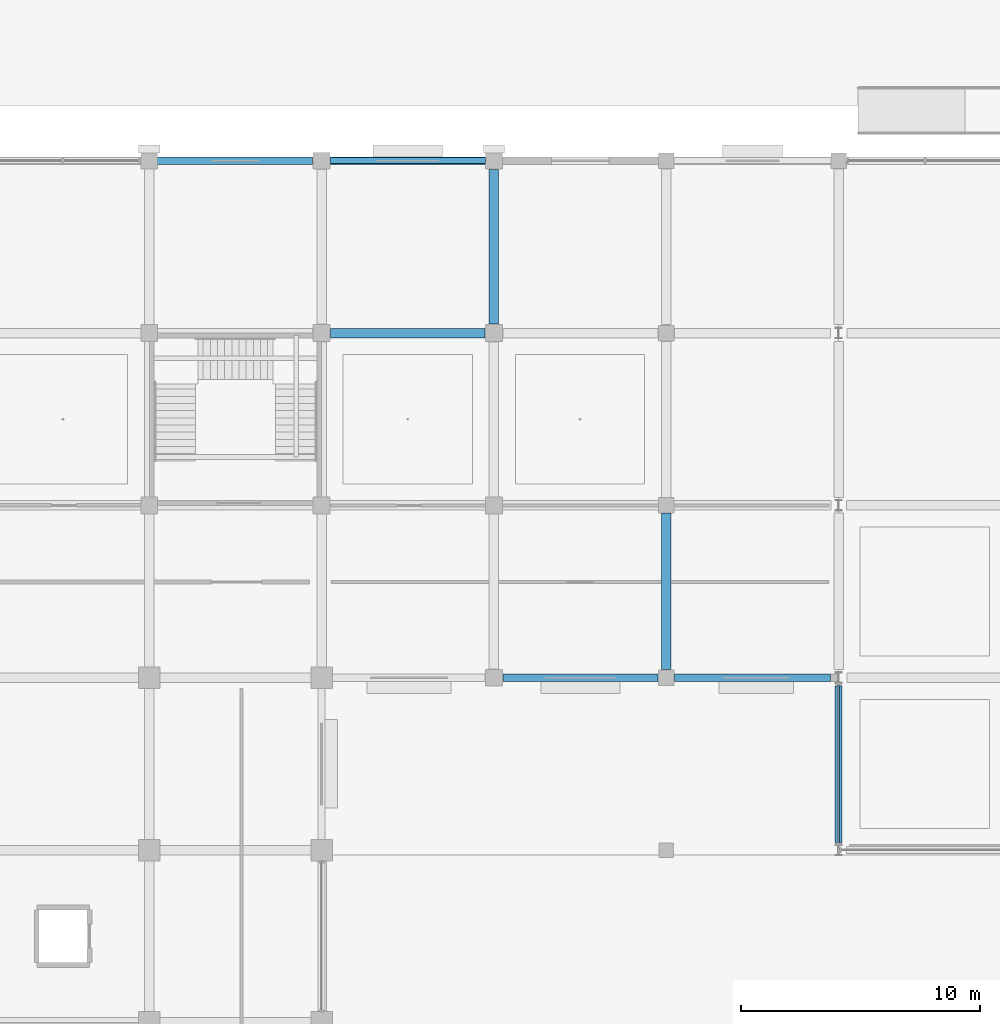
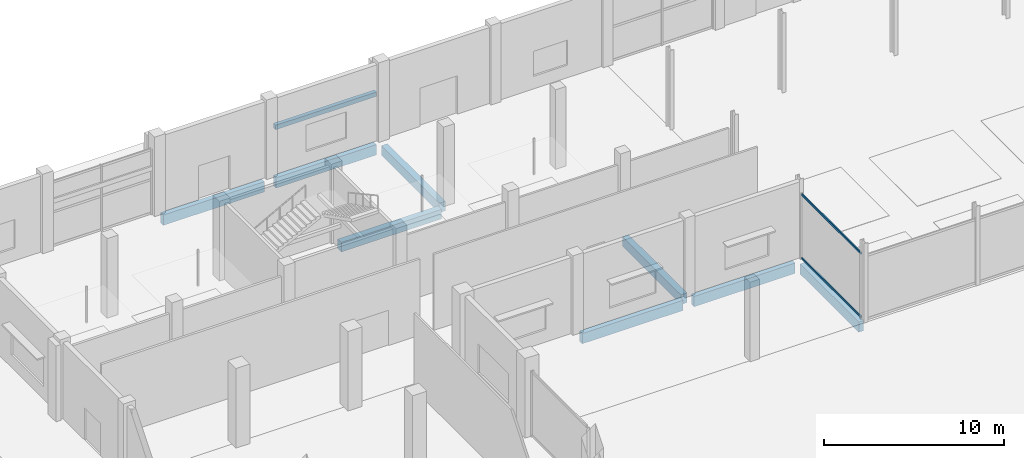
# One storey, part 17 of 90: 9 beams, 2 members, 1 element without a shape of its own.
"""IFC4 building model written with IfcOpenShell, lengths in metres."""

from ifc_helpers import new_model, si_unit, direction, frame, origin, origin_2d, place, context, subcontext, project, spatial, rectangle, hollow_rectangle, extrude, material, layer, layer_set, material_profile, profile_set, type_object, element, aggregate, save


model = new_model("IFC4")

# Units and contexts
model_context = context("Model", 3, precision=1e-05, world=origin(), true_north=direction((0.0, 1.0)))
body_context = subcontext(model_context, "Body", "Model", "MODEL_VIEW")
ifc_project = project(units=[si_unit("LENGTHUNIT", "METRE"), si_unit("AREAUNIT", "SQUARE_METRE"), si_unit("VOLUMEUNIT", "CUBIC_METRE"), si_unit("PLANEANGLEUNIT", "RADIAN"), si_unit("MASSUNIT", "GRAM", prefix="KILO")], contexts=[model_context])

# Site, building, storey
site_placement = place(None, origin())
site = spatial("IfcSite", under=ifc_project, at=site_placement, CompositionType="ELEMENT")
building_placement = place(site_placement, origin())
building = spatial("IfcBuilding", under=site, at=building_placement, Name="Kangsadwip Square Police Headquarters", CompositionType="ELEMENT")
storey_placement = place(building_placement, origin())
storey = spatial("IfcBuildingStorey", under=building, at=storey_placement, Name="L00", CompositionType="ELEMENT", Elevation=0.0)

# Curtain wall, members
ifc_material_1 = material(Name="Thermally broken anodised aluminium AW-6063-T6", Category="aluminium")
ifc_layer = layer(ifc_material_1, 0.159912109375)
ifc_layer_set = layer_set([ifc_layer], Name="Thermally broken anodised aluminium AW-6063-T6")
curtain_wall_type = type_object("IfcCurtainWallType", Name="CourtScreen6744x4450", PredefinedType="USERDEFINED", material=ifc_layer_set)
curtain_wall_placement = place(storey_placement, origin())
curtain_wall = element("IfcCurtainWall", 1, at=curtain_wall_placement, inside=storey, type_object=curtain_wall_type, Name="Curtain Wall CW-L00-0432-0866", ObjectType="GLAZED_SCREEN", PredefinedType="USERDEFINED")
ifc_material_2 = material(Name="Thermally broken anodised aluminium AW-6063-T6", Category="aluminium")
ifc_material_profile_1 = material_profile(ifc_material_2, hollow_rectangle(XDim=0.074951171875, YDim=0.139892578125, WallThickness=0.0048828125, at=origin_2d()), Name="CWT 140X75X5")
ifc_profile_set_1 = profile_set([ifc_material_profile_1], Name="Thermally broken anodised aluminium AW-6063-T6")
member_type = type_object("IfcMemberType", Name="CwTransom160x65", PredefinedType="USERDEFINED", material=ifc_profile_set_1)
member_1_placement = place(storey_placement, frame((43.199951171875, 86.702880859375, 0.070068359375), z_axis=(0.0, 1.0, 0.0), x_axis=(-1.0, 0.0, 0.0)))
member_1 = element("IfcMember", 2, at=member_1_placement, type_object=member_type, Name="CW-14 transom 1.1", ObjectType="TRANSOM", PredefinedType="USERDEFINED", context=body_context, shape_type="SweptSolid", body=[
    extrude(hollow_rectangle(XDim=0.074951171875, YDim=0.139892578125, WallThickness=0.0048828125, at=origin_2d()), origin(), (0.0, 0.0, 1.0), 6.59423828125),
])
member_2_placement = place(storey_placement, frame((43.199951171875, 86.702880859375, 4.3798828125), z_axis=(0.0, 1.0, 0.0), x_axis=(-1.0, 0.0, 0.0)))
member_2 = element("IfcMember", 3, at=member_2_placement, type_object=member_type, Name="CW-14 transom 1.2", ObjectType="TRANSOM", PredefinedType="USERDEFINED", context=body_context, shape_type="SweptSolid", body=[
    extrude(hollow_rectangle(XDim=0.074951171875, YDim=0.139892578125, WallThickness=0.0048828125, at=origin_2d()), origin(), (0.0, 0.0, 1.0), 6.59423828125),
])
aggregate(curtain_wall, [member_1, member_2])

# Beams
ifc_material_3 = material(Name="Concrete M35 (35 MPa)", Category="concrete")
ifc_material_profile_2 = material_profile(ifc_material_3, rectangle(XDim=0.39990234375, YDim=0.64990234375, at=origin_2d()), Name="RC BM 650X400")
ifc_profile_set_2 = profile_set([ifc_material_profile_2], Name="Concrete M35 (35 MPa)")
beam_type_1 = type_object("IfcBeamType", Name="RcBeam650x400", PredefinedType="BEAM", material=ifc_profile_set_2)
for number, where, z_axis, x_axis, name in (
    (4, (21.97509765625, 108.0, -0.574951171875), (1.0, 0.0, 0.0), (0.0, 1.0, 0.0), "Beam BM-L00-X-03-15"),
    (5, (28.800048828125, 108.375, -0.574951171875), (0.0, 1.0, 0.0), (-1.0, 0.0, 0.0), "Beam BM-L00-Y-04-15"),
):
    element("IfcBeam", number, at=place(storey_placement, frame(where, z_axis=z_axis, x_axis=x_axis)), inside=storey, type_object=beam_type_1, Name=name, PredefinedType="BEAM", context=body_context, shape_type="SweptSolid", body=[
        extrude(rectangle(XDim=0.39990234375, YDim=0.64990234375, at=origin_2d()), origin(), (0.0, 0.0, 1.0), 6.449951171875),
    ])
beam_1_placement = place(storey_placement, frame((36.0, 93.949951171875, -0.574951171875), z_axis=(0.0, 1.0, 0.0), x_axis=(-1.0, 0.0, 0.0)))
element("IfcBeam", 6, at=beam_1_placement, inside=storey, type_object=beam_type_1, Name="Beam BM-L00-Y-05-13", PredefinedType="BEAM", context=body_context, shape_type="SweptSolid", body=[
    extrude(rectangle(XDim=0.39990234375, YDim=0.64990234375, at=origin_2d()), origin(), (0.0, 0.0, 1.0), 6.525146484375),
])
ifc_material_4 = material(Name="Concrete M35 (35 MPa)", Category="concrete")
ifc_material_profile_3 = material_profile(ifc_material_4, rectangle(XDim=0.25, YDim=0.300048828125, at=origin_2d()), Name="RC LNT 300X250")
ifc_profile_set_3 = profile_set([ifc_material_profile_3], Name="Concrete M35 (35 MPa)")
beam_type_2 = type_object("IfcBeamType", Name="RcLintel300x250", PredefinedType="LINTEL", material=ifc_profile_set_3)
beam_2_placement = place(storey_placement, frame((21.949951171875, 115.199951171875, 3.14990234375), z_axis=(1.0, 0.0, 0.0), x_axis=(0.0, 1.0, 0.0)))
element("IfcBeam", 7, at=beam_2_placement, inside=storey, type_object=beam_type_2, Name="Opening Lintel Beam LNT-L00-0370", PredefinedType="LINTEL", context=body_context, shape_type="SweptSolid", body=[
    extrude(rectangle(XDim=0.25, YDim=0.300048828125, at=origin_2d()), origin(), (0.0, 0.0, 1.0), 6.5),
])
ifc_material_5 = material(Name="Concrete M40 (40 MPa)", Category="concrete")
ifc_material_profile_4 = material_profile(ifc_material_5, rectangle(XDim=0.300048828125, YDim=0.699951171875, at=origin_2d()), Name="RC SPN 700X300")
ifc_profile_set_4 = profile_set([ifc_material_profile_4], Name="Concrete M40 (40 MPa)")
beam_type_3 = type_object("IfcBeamType", Name="RcSpandrel700x300", PredefinedType="SPANDREL", material=ifc_profile_set_4)
beam_3_placement = place(storey_placement, frame((29.175048828125, 93.60009765625, -0.60009765625), z_axis=(1.0, 0.0, 0.0), x_axis=(0.0, 1.0, 0.0)))
element("IfcBeam", 8, at=beam_3_placement, inside=storey, type_object=beam_type_3, Name="Beam BM-L00-X-04-13", PredefinedType="SPANDREL", context=body_context, shape_type="SweptSolid", body=[
    extrude(rectangle(XDim=0.300048828125, YDim=0.699951171875, at=origin_2d()), origin(), (0.0, 0.0, 1.0), 6.474853515625),
])
for number, where, z_axis, x_axis, name in (
    (9, (36.35009765625, 93.60009765625, -0.60009765625), (1.0, 0.0, 0.0), (0.0, 1.0, 0.0), "Beam BM-L00-X-05-13"),
    (10, (14.72509765625, 115.199951171875, -0.60009765625), (1.0, 0.0, 0.0), (0.0, 1.0, 0.0), "Beam BM-L00-X-02-16"),
):
    element("IfcBeam", number, at=place(storey_placement, frame(where, z_axis=z_axis, x_axis=x_axis)), inside=storey, type_object=beam_type_3, Name=name, PredefinedType="SPANDREL", context=body_context, shape_type="SweptSolid", body=[
        extrude(rectangle(XDim=0.300048828125, YDim=0.699951171875, at=origin_2d()), origin(), (0.0, 0.0, 1.0), 6.5),
    ])
beam_4_placement = place(storey_placement, frame((21.97509765625, 115.199951171875, -0.60009765625), z_axis=(1.0, 0.0, 0.0), x_axis=(0.0, 1.0, 0.0)))
element("IfcBeam", 11, at=beam_4_placement, inside=storey, type_object=beam_type_3, Name="Beam BM-L00-X-03-16", PredefinedType="SPANDREL", context=body_context, shape_type="SweptSolid", body=[
    extrude(rectangle(XDim=0.300048828125, YDim=0.699951171875, at=origin_2d()), origin(), (0.0, 0.0, 1.0), 6.449951171875),
])
beam_5_placement = place(storey_placement, frame((43.199951171875, 86.72509765625, -0.60009765625), z_axis=(0.0, 1.0, 0.0), x_axis=(-1.0, 0.0, 0.0)))
element("IfcBeam", 12, at=beam_5_placement, inside=storey, type_object=beam_type_3, Name="Beam BM-L00-Y-06-12", PredefinedType="SPANDREL", context=body_context, shape_type="SweptSolid", body=[
    extrude(rectangle(XDim=0.300048828125, YDim=0.699951171875, at=origin_2d()), origin(), (0.0, 0.0, 1.0), 6.52490234375),
])

save(model, "model.ifc")
